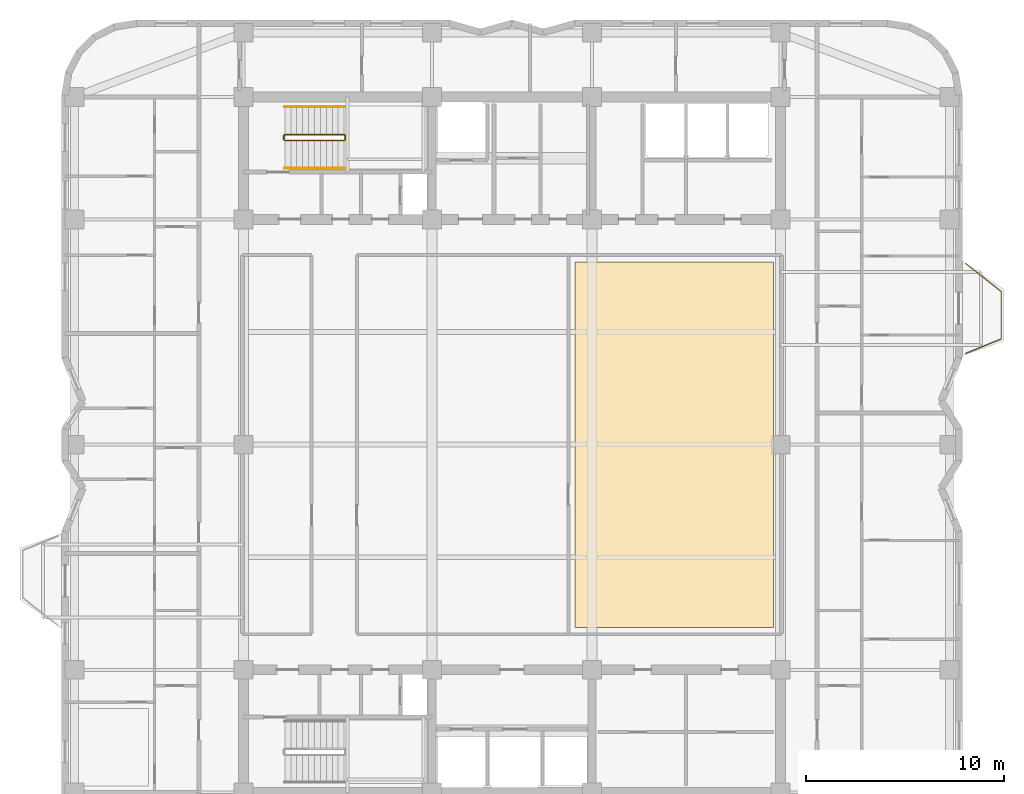
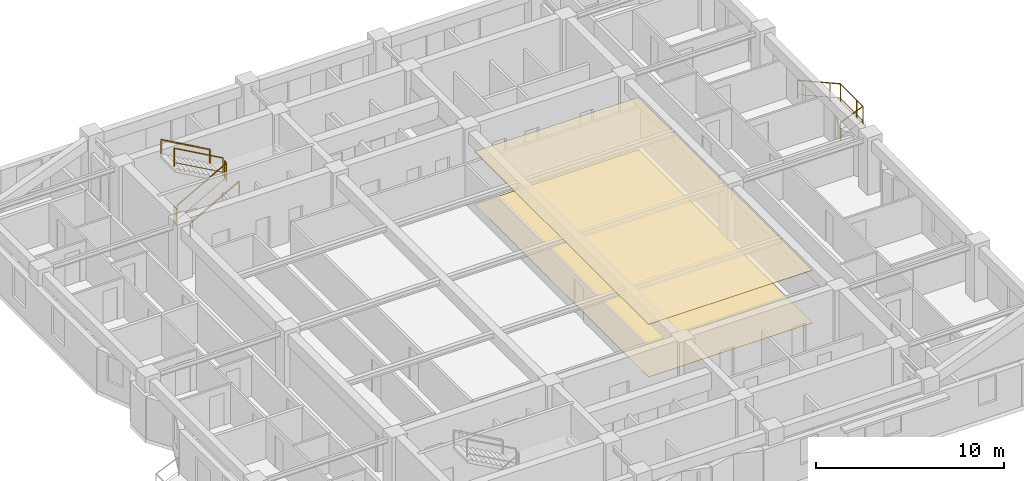
# One storey, part 9 of 9: 7 railings, 2 coverings.
"""IFC4 building model written with IfcOpenShell, lengths in metres."""

from ifc_helpers import new_model, si_unit, direction, frame, origin, origin_2d, place, context, subcontext, project, spatial, polyline, rectangle, outline, extrude, material, layer, layer_set, type_object, element, save


model = new_model("IFC4")

# Units and contexts
model_context = context("Model", 3, precision=1e-05, world=origin(), true_north=direction((0.0, 1.0)))
body_context = subcontext(model_context, "Body", "Model", "MODEL_VIEW")
ifc_project = project(units=[si_unit("LENGTHUNIT", "METRE"), si_unit("AREAUNIT", "SQUARE_METRE"), si_unit("VOLUMEUNIT", "CUBIC_METRE"), si_unit("PLANEANGLEUNIT", "RADIAN"), si_unit("MASSUNIT", "GRAM", prefix="KILO")], contexts=[model_context])

# Site, building, storey
site_placement = place(None, origin())
site = spatial("IfcSite", under=ifc_project, at=site_placement, CompositionType="ELEMENT")
building_placement = place(site_placement, origin())
building = spatial("IfcBuilding", under=site, at=building_placement, Name="Svetorya Sky Lyceum", CompositionType="ELEMENT")
storey_placement = place(building_placement, frame((0.0, 0.0, 155.199951171875)))
storey = spatial("IfcBuildingStorey", under=building, at=storey_placement, Name="L38", CompositionType="ELEMENT", Elevation=155.199951171875)

# Coverings
ifc_material_1 = material(Name="Fire-retardant birch acoustic slat ceiling")
ifc_layer_1 = layer(ifc_material_1, 0.031982421875)
ifc_layer_set_1 = layer_set([ifc_layer_1], Name="Fire-retardant birch acoustic slat ceiling")
covering_type_1 = type_object("IfcCoveringType", Name="COV-CLG-WD32", PredefinedType="CEILING", material=ifc_layer_set_1)
covering_1_placement = place(storey_placement, frame((0.0, 0.0, 3.407958984375)))
element("IfcCovering", 1, at=covering_1_placement, inside=storey, type_object=covering_type_1, Name="Recreation Hall L38 East Acoustic Ceiling", PredefinedType="CEILING", context=body_context, shape_type="SweptSolid", body=[
    extrude(outline(polyline([(42.389892578125, 18.949951171875), (52.449951171875, 18.949951171875), (52.449951171875, 37.449951171875), (42.389892578125, 37.449951171875), (42.389892578125, 18.949951171875)])), origin(), (0.0, 0.0, 1.0), 0.031982421875),
])
ifc_material_2 = material(Name="Vitrified porcelain slip-resistant tile flooring")
ifc_layer_2 = layer(ifc_material_2, 0.02587890625)
ifc_layer_set_2 = layer_set([ifc_layer_2], Name="Vitrified porcelain slip-resistant tile flooring")
covering_type_2 = type_object("IfcCoveringType", Name="COV-FLR-POR26", PredefinedType="FLOORING", material=ifc_layer_set_2)
covering_2_placement = place(storey_placement, origin())
element("IfcCovering", 2, at=covering_2_placement, inside=storey, type_object=covering_type_2, Name="Recreation Hall L38 East Architectural Flooring", PredefinedType="FLOORING", context=body_context, shape_type="SweptSolid", body=[
    extrude(outline(polyline([(42.389892578125, 18.949951171875), (52.449951171875, 18.949951171875), (52.449951171875, 37.449951171875), (42.389892578125, 37.449951171875), (42.389892578125, 18.949951171875)])), origin(), (0.0, 0.0, 1.0), 0.026123046875),
])

# Railings
ifc_material_3 = material(Name="Laminated safety glass and stainless AISI 316", Category="glass")
railing_type_1 = type_object("IfcRailingType", Name="RL-BAL-1200", PredefinedType="BALUSTRADE", material=ifc_material_3)
railing_1_placement = place(storey_placement, frame((62.169921875, 37.3798828125, 0.0)))
element("IfcRailing", 3, at=railing_1_placement, inside=storey, type_object=railing_type_1, Name="L38 Balcony Balustrade BAL-E1", PredefinedType="BALUSTRADE", context=body_context, shape_type="SweptSolid", body=[
    extrude(rectangle(XDim=0.048095703125, YDim=0.048095703125, at=origin_2d()), frame((0.0, 0.0, 1.17578125), z_axis=(0.783008919264, -0.622010476079, 0.0), x_axis=(0.622010476079, 0.783008919264, 0.0)), (0.0, 0.0, 1.0), 2.298828125),
    extrude(rectangle(XDim=0.02392578125, YDim=0.02392578125, at=origin_2d()), frame((0.0, 0.0, 0.25), z_axis=(0.783008919264, -0.622010476079, 0.0), x_axis=(0.622010476079, 0.783008919264, 0.0)), (0.0, 0.0, 1.0), 2.298828125),
    extrude(rectangle(XDim=0.048095703125, YDim=0.048095703125, at=origin_2d()), frame((1.800048828125, -1.429931640625, 1.17578125), z_axis=(0.0, -1.0, 0.0), x_axis=(1.0, 0.0, 0.0)), (0.0, 0.0, 1.0), 2.39990234375),
    extrude(rectangle(XDim=0.02392578125, YDim=0.02392578125, at=origin_2d()), frame((1.800048828125, -1.429931640625, 0.25), z_axis=(0.0, -1.0, 0.0), x_axis=(1.0, 0.0, 0.0)), (0.0, 0.0, 1.0), 2.39990234375),
    extrude(rectangle(XDim=0.048095703125, YDim=0.048095703125, at=origin_2d()), frame((1.800048828125, -3.829833984375, 1.17578125), z_axis=(-0.926697865975, -0.375807218129, 0.0), x_axis=(0.375807218129, -0.926697865975, 0.0)), (0.0, 0.0, 1.0), 1.9423828125),
    extrude(rectangle(XDim=0.02392578125, YDim=0.02392578125, at=origin_2d()), frame((1.800048828125, -3.829833984375, 0.25), z_axis=(-0.926697865975, -0.375807218129, 0.0), x_axis=(0.375807218129, -0.926697865975, 0.0)), (0.0, 0.0, 1.0), 1.9423828125),
    extrude(rectangle(XDim=0.0419921875, YDim=0.0419921875, at=origin_2d()), origin(), (0.0, 0.0, 1.0), 1.15185546875),
    extrude(rectangle(XDim=0.0419921875, YDim=0.0419921875, at=origin_2d()), frame((1.370361328125, -1.088623046875, 0.0)), (0.0, 0.0, 1.0), 1.15185546875),
    extrude(rectangle(XDim=0.0419921875, YDim=0.0419921875, at=origin_2d()), frame((1.800048828125, -1.429931640625, 0.0)), (0.0, 0.0, 1.0), 1.15185546875),
    extrude(rectangle(XDim=0.0419921875, YDim=0.0419921875, at=origin_2d()), frame((1.800048828125, -3.179931640625, 0.0)), (0.0, 0.0, 1.0), 1.15185546875),
    extrude(rectangle(XDim=0.0419921875, YDim=0.0419921875, at=origin_2d()), frame((1.800048828125, -3.829833984375, 0.0)), (0.0, 0.0, 1.0), 1.15185546875),
    extrude(rectangle(XDim=0.0419921875, YDim=0.0419921875, at=origin_2d()), frame((0.0, -4.559814453125, 0.0)), (0.0, 0.0, 1.0), 1.15185546875),
])
ifc_material_4 = material(Name="Painted galvanized stair well guard")
railing_type_2 = type_object("IfcRailingType", Name="RL-STR-GUARD-1200", PredefinedType="GUARDRAIL", material=ifc_material_4)
railing_2_placement = place(storey_placement, frame((27.699951171875, 43.60009765625, 0.168212890625)))
element("IfcRailing", 4, at=railing_2_placement, inside=storey, type_object=railing_type_2, Name="L38 ST-N stair guard 1", PredefinedType="GUARDRAIL", context=body_context, shape_type="SweptSolid", body=[
    extrude(rectangle(XDim=0.048095703125, YDim=0.048095703125, at=origin_2d()), frame((0.0, 0.0, 1.17578125), z_axis=(0.872272294576, 0.0, 0.489020494575), x_axis=(0.0, 1.0, 0.0)), (0.0, 0.0, 1.0), 3.439208984375),
    extrude(rectangle(XDim=0.02392578125, YDim=0.02392578125, at=origin_2d()), frame((0.0, 0.0, 0.25), z_axis=(0.872272294576, 0.0, 0.489020494575), x_axis=(0.0, 1.0, 0.0)), (0.0, 0.0, 1.0), 3.439208984375),
    extrude(rectangle(XDim=0.0419921875, YDim=0.0419921875, at=origin_2d()), origin(), (0.0, 0.0, 1.0), 1.15185546875),
    extrude(rectangle(XDim=0.0419921875, YDim=0.0419921875, at=origin_2d()), frame((3.0, 0.0, 1.681884765625)), (0.0, 0.0, 1.0), 1.15185546875),
])
railing_3_placement = place(storey_placement, frame((30.75, 43.64990234375, 1.85009765625)))
element("IfcRailing", 5, at=railing_3_placement, inside=storey, type_object=railing_type_2, Name="L38 ST-N stair guard 2", PredefinedType="GUARDRAIL", context=body_context, shape_type="SweptSolid", body=[
    extrude(rectangle(XDim=0.048095703125, YDim=0.048095703125, at=origin_2d()), frame((0.0, 0.0, 1.17578125), z_axis=(0.0, 1.0, 0.0), x_axis=(-1.0, 0.0, 0.0)), (0.0, 0.0, 1.0), 0.2001953125),
    extrude(rectangle(XDim=0.02392578125, YDim=0.02392578125, at=origin_2d()), frame((0.0, 0.0, 0.25), z_axis=(0.0, 1.0, 0.0), x_axis=(-1.0, 0.0, 0.0)), (0.0, 0.0, 1.0), 0.2001953125),
    extrude(rectangle(XDim=0.0419921875, YDim=0.0419921875, at=origin_2d()), origin(), (0.0, 0.0, 1.0), 1.15185546875),
    extrude(rectangle(XDim=0.0419921875, YDim=0.0419921875, at=origin_2d()), frame((0.0, 0.2001953125, 0.0)), (0.0, 0.0, 1.0), 1.15185546875),
])
railing_4_placement = place(storey_placement, frame((30.699951171875, 43.89990234375, 2.018310546875)))
element("IfcRailing", 6, at=railing_4_placement, inside=storey, type_object=railing_type_2, Name="L38 ST-N stair guard 3", PredefinedType="GUARDRAIL", context=body_context, shape_type="SweptSolid", body=[
    extrude(rectangle(XDim=0.048095703125, YDim=0.048095703125, at=origin_2d()), frame((0.0, 0.0, 1.17578125), z_axis=(-0.872302573547, 0.0, 0.488966481656), x_axis=(0.0, -1.0, 0.0)), (0.0, 0.0, 1.0), 3.439208984375),
    extrude(rectangle(XDim=0.02392578125, YDim=0.02392578125, at=origin_2d()), frame((0.0, 0.0, 0.25), z_axis=(-0.872302573547, 0.0, 0.488966481656), x_axis=(0.0, -1.0, 0.0)), (0.0, 0.0, 1.0), 3.439208984375),
    extrude(rectangle(XDim=0.0419921875, YDim=0.0419921875, at=origin_2d()), origin(), (0.0, 0.0, 1.0), 1.15185546875),
    extrude(rectangle(XDim=0.0419921875, YDim=0.0419921875, at=origin_2d()), frame((-3.0, 0.0, 1.681640625)), (0.0, 0.0, 1.0), 1.15185546875),
])
railing_5_placement = place(storey_placement, frame((27.64990234375, 43.64990234375, 0.0)))
element("IfcRailing", 7, at=railing_5_placement, inside=storey, type_object=railing_type_2, Name="L38 ST-N stair guard 4", PredefinedType="GUARDRAIL", context=body_context, shape_type="SweptSolid", body=[
    extrude(rectangle(XDim=0.048095703125, YDim=0.048095703125, at=origin_2d()), frame((0.0, 0.0, 1.17578125), z_axis=(0.0, 1.0, 0.0), x_axis=(-1.0, 0.0, 0.0)), (0.0, 0.0, 1.0), 0.2001953125),
    extrude(rectangle(XDim=0.02392578125, YDim=0.02392578125, at=origin_2d()), frame((0.0, 0.0, 0.25), z_axis=(0.0, 1.0, 0.0), x_axis=(-1.0, 0.0, 0.0)), (0.0, 0.0, 1.0), 0.2001953125),
    extrude(rectangle(XDim=0.0419921875, YDim=0.0419921875, at=origin_2d()), origin(), (0.0, 0.0, 1.0), 1.15185546875),
    extrude(rectangle(XDim=0.0419921875, YDim=0.0419921875, at=origin_2d()), frame((0.0, 0.2001953125, 0.0)), (0.0, 0.0, 1.0), 1.15185546875),
])
ifc_material_5 = material(Name="Brushed stainless AISI 304 stair handrail")
railing_type_3 = type_object("IfcRailingType", Name="RL-STR-HAND-920", PredefinedType="HANDRAIL", material=ifc_material_5)
railing_6_placement = place(storey_placement, frame((27.699951171875, 42.199951171875, 0.168212890625)))
element("IfcRailing", 8, at=railing_6_placement, inside=storey, type_object=railing_type_3, Name="L38 ST-N stair handrail 1", PredefinedType="HANDRAIL", context=body_context, shape_type="SweptSolid", body=[
    extrude(rectangle(XDim=0.048095703125, YDim=0.048095703125, at=origin_2d()), frame((0.0, 0.0, 0.8759765625), z_axis=(0.872272294576, 0.0, 0.489020494575), x_axis=(0.0, 1.0, 0.0)), (0.0, 0.0, 1.0), 3.439208984375),
    extrude(rectangle(XDim=0.0419921875, YDim=0.0419921875, at=origin_2d()), origin(), (0.0, 0.0, 1.0), 0.851806640625),
    extrude(rectangle(XDim=0.0419921875, YDim=0.0419921875, at=origin_2d()), frame((3.0, 0.0, 1.681884765625)), (0.0, 0.0, 1.0), 0.851806640625),
])
railing_7_placement = place(storey_placement, frame((30.699951171875, 45.300048828125, 2.018310546875)))
element("IfcRailing", 9, at=railing_7_placement, inside=storey, type_object=railing_type_3, Name="L38 ST-N stair handrail 2", PredefinedType="HANDRAIL", context=body_context, shape_type="SweptSolid", body=[
    extrude(rectangle(XDim=0.048095703125, YDim=0.048095703125, at=origin_2d()), frame((0.0, 0.0, 0.8759765625), z_axis=(-0.872302573547, 0.0, 0.488966481656), x_axis=(0.0, -1.0, 0.0)), (0.0, 0.0, 1.0), 3.439208984375),
    extrude(rectangle(XDim=0.0419921875, YDim=0.0419921875, at=origin_2d()), origin(), (0.0, 0.0, 1.0), 0.851806640625),
    extrude(rectangle(XDim=0.0419921875, YDim=0.0419921875, at=origin_2d()), frame((-3.0, 0.0, 1.681640625)), (0.0, 0.0, 1.0), 0.851806640625),
])

save(model, "model.ifc")
